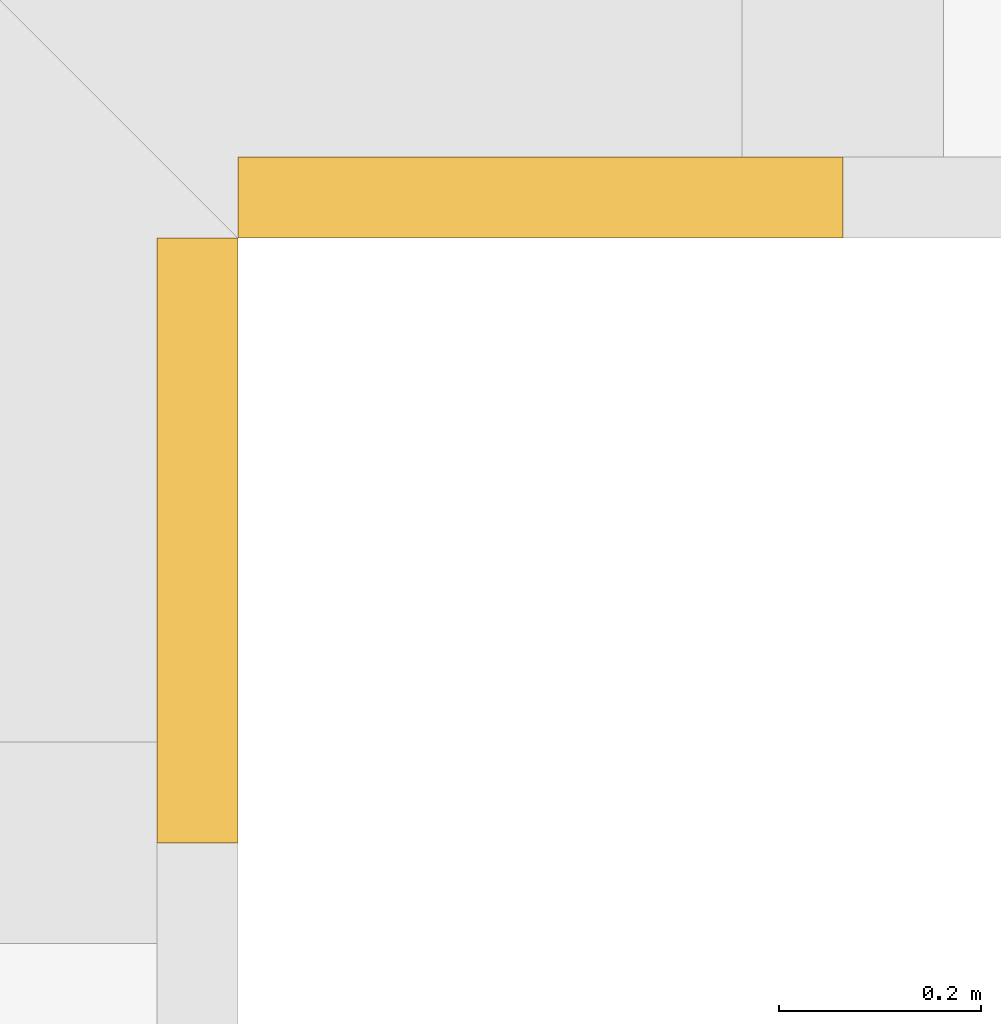
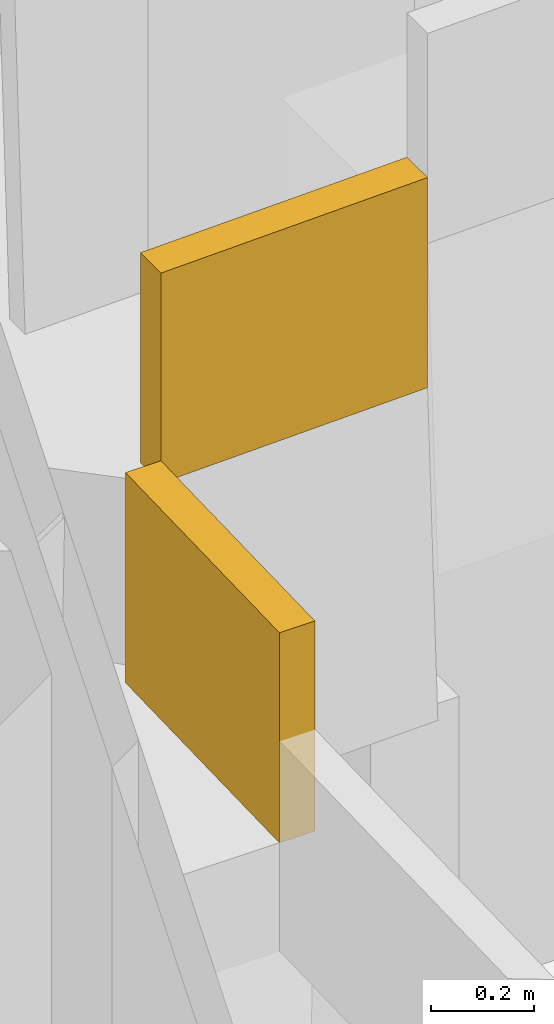
# One storey, part 30 of 30: 2 coverings.
"""IFC4 building model written with IfcOpenShell, lengths in metres."""

from ifc_helpers import new_model, si_unit, direction, frame, origin, place, context, subcontext, project, spatial, polyline, outline, extrude, material, layer, layer_set, type_object, element, save


model = new_model("IFC4")

# Units and contexts
model_context = context("Model", 3, precision=1e-05, world=origin(), true_north=direction((0.0, 1.0)))
body_context = subcontext(model_context, "Body", "Model", "MODEL_VIEW")
ifc_project = project(units=[si_unit("LENGTHUNIT", "METRE"), si_unit("AREAUNIT", "SQUARE_METRE"), si_unit("VOLUMEUNIT", "CUBIC_METRE"), si_unit("PLANEANGLEUNIT", "RADIAN"), si_unit("MASSUNIT", "GRAM", prefix="KILO")], contexts=[model_context])

# Site, building, storey
site_placement = place(None, origin())
site = spatial("IfcSite", under=ifc_project, at=site_placement, CompositionType="ELEMENT")
building_placement = place(site_placement, origin())
building = spatial("IfcBuilding", under=site, at=building_placement, Name="Saffron Gate Tower", CompositionType="ELEMENT")
storey_placement = place(building_placement, frame((0.0, 0.0, 216.300048828125)))
storey = spatial("IfcBuildingStorey", under=building, at=storey_placement, Name="L52", CompositionType="ELEMENT", Elevation=216.300048828125)

# Coverings
ifc_material = material(Name="Timber, thermally modified ash", Category="wood")
ifc_layer = layer(ifc_material, 0.080078125)
ifc_layer_set = layer_set([ifc_layer], Name="LD2 ledge planter trough")
covering_type = type_object("IfcCoveringType", Name="LD2 ledge planter trough", PredefinedType="CLADDING", material=ifc_layer_set)
for number, where, z_axis, x_axis, name in (
    (1, (124.800048828125, 31.800048828125, 2.56591796875), (1.0, 0.0, 0.0), (0.0, 0.999582742162, 0.028884971385), "LEDGE planter trough"),
    (2, (124.800048828125, 32.39990234375, 3.02978515625), (0.0, -1.0, 0.0), (0.999582742162, 0.0, 0.028884971385), "LEDGE planter trough"),
):
    element("IfcCovering", number, at=place(storey_placement, frame(where, z_axis=z_axis, x_axis=x_axis)), inside=storey, type_object=covering_type, Name=name, PredefinedType="CLADDING", context=body_context, shape_type="SweptSolid", body=[
        extrude(outline(polyline([(0.0, 0.0), (0.6001039136866089, 0.0), (0.614546399379222, 0.4997913710809928), (0.014442485692613144, 0.49979137108099286), (0.0, 0.0)])), origin(), (0.0, 0.0, -1.0), 0.080078125),
    ])

save(model, "model.ifc")
